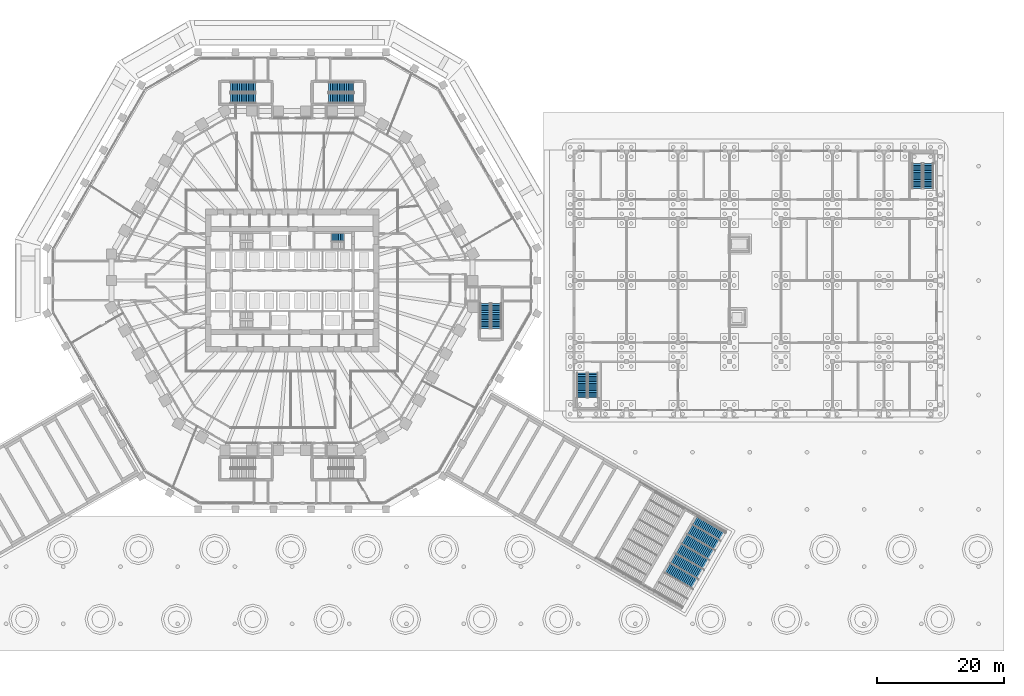
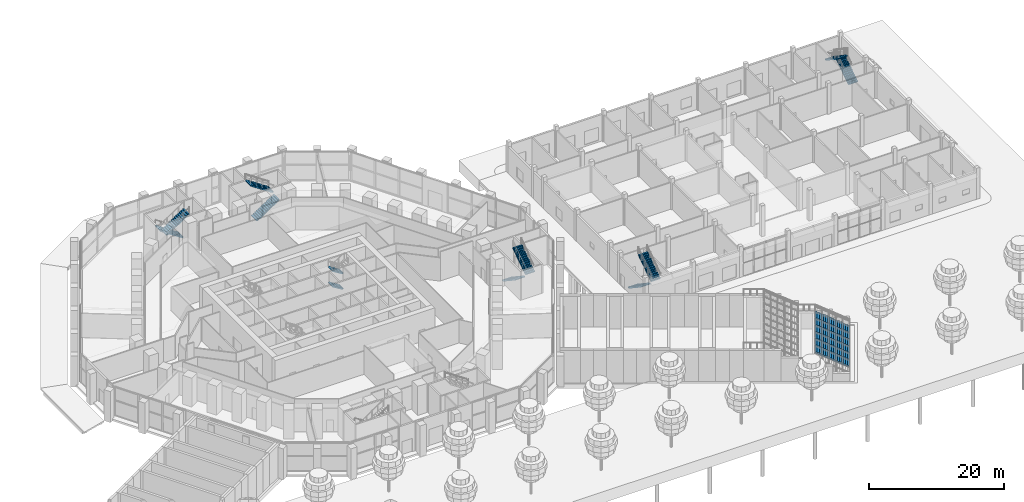
# One storey, part 31 of 44: 18 stair flights, 7 elements without a shape of their own.
"""IFC4 building model written with IfcOpenShell, lengths in metres."""

from ifc_helpers import new_model, si_unit, direction, frame, origin, place, context, subcontext, project, spatial, polyline, outline, extrude, material, layer, layer_set, type_object, element, aggregate, save


model = new_model("IFC4")

# Units and contexts
model_context = context("Model", 3, precision=1e-05, world=origin(), true_north=direction((0.0, 1.0)))
body_context = subcontext(model_context, "Body", "Model", "MODEL_VIEW")
ifc_project = project(units=[si_unit("LENGTHUNIT", "METRE"), si_unit("AREAUNIT", "SQUARE_METRE"), si_unit("VOLUMEUNIT", "CUBIC_METRE"), si_unit("PLANEANGLEUNIT", "RADIAN"), si_unit("MASSUNIT", "GRAM", prefix="KILO")], contexts=[model_context])

# Site, building, storey
site_placement = place(None, origin())
site = spatial("IfcSite", under=ifc_project, at=site_placement, CompositionType="ELEMENT")
building_placement = place(site_placement, origin())
building = spatial("IfcBuilding", under=site, at=building_placement, Name="Frailejon Research Tower", CompositionType="ELEMENT")
storey_placement = place(building_placement, origin())
storey = spatial("IfcBuildingStorey", under=building, at=storey_placement, Name="L00", CompositionType="ELEMENT", Elevation=0.0)

# Stair, stair flights
ifc_material_1 = material(Name="Concrete C35/45", Category="concrete")
stair_type_1 = type_object("IfcStairType", Name="Broad stair", PredefinedType="STRAIGHT_RUN_STAIR", material=ifc_material_1)
stair_1_placement = place(storey_placement, origin())
stair_1 = element("IfcStair", 1, at=stair_1_placement, inside=storey, type_object=stair_type_1, Name="Broad stair E1", PredefinedType="STRAIGHT_RUN_STAIR")
ifc_material_2 = material(Name="Concrete C35/45", Category="concrete")
stair_flight_type_1 = type_object("IfcStairFlightType", Name="Broad stair flight", PredefinedType="STRAIGHT", material=ifc_material_2)
stair_flight_1_placement = place(storey_placement, frame((63.516845703125, -47.785400390625, 0.0), z_axis=(0.0, 0.0, 1.0), x_axis=(-0.866025403784, 0.5, 0.0)))
stair_flight_1 = element("IfcStairFlight", 2, at=stair_flight_1_placement, type_object=stair_flight_type_1, Name="SS-E1 flight 11", NumberOfRisers=18, NumberOfTreads=17, PredefinedType="STRAIGHT", RiserHeight=0.155555556, TreadLength=0.3, context=body_context, shape_type="SweptSolid", body=[
    extrude(outline(polyline([(0.0, 0.0), (0.0, 0.155517578125), (0.300048828125, 0.155517578125), (0.300048828125, 0.31103515625), (0.60009765625, 0.31103515625), (0.60009765625, 0.466552734375), (0.89990234375, 0.466552734375), (0.89990234375, 0.622314453125), (1.199951171875, 0.622314453125), (1.199951171875, 0.77783203125), (1.5, 0.77783203125), (1.5, 0.933349609375), (1.800048828125, 0.933349609375), (1.800048828125, 1.0888671875), (2.10009765625, 1.0888671875), (2.10009765625, 1.244384765625), (2.39990234375, 1.244384765625), (2.39990234375, 1.39990234375), (2.699951171875, 1.39990234375), (2.699951171875, 1.5556640625), (3.0, 1.5556640625), (3.0, 1.711181640625), (3.300048828125, 1.711181640625), (3.300048828125, 1.86669921875), (3.60009765625, 1.86669921875), (3.60009765625, 2.022216796875), (3.89990234375, 2.022216796875), (3.89990234375, 2.177734375), (4.199951171875, 2.177734375), (4.199951171875, 2.333251953125), (4.5, 2.333251953125), (4.5, 2.48876953125), (4.800048828125, 2.48876953125), (4.800048828125, 2.64453125), (5.10009765625, 2.64453125), (5.10009765625, 2.800048828125), (5.10009765625, 2.419189453125), (0.434326171875, 0.0), (0.0, 0.0)])), frame((0.0, 0.875, 0.0), z_axis=(0.0, -1.0, 0.0), x_axis=(1.0, 0.0, 0.0)), (0.0, 0.0, 1.0), 1.75),
])
stair_flight_2_placement = place(storey_placement, frame((64.391845703125, -46.27001953125, 0.0), z_axis=(0.0, 0.0, 1.0), x_axis=(-0.866025403784, 0.5, 0.0)))
stair_flight_2 = element("IfcStairFlight", 3, at=stair_flight_2_placement, type_object=stair_flight_type_1, Name="SS-E1 flight 12", NumberOfRisers=18, NumberOfTreads=17, PredefinedType="STRAIGHT", RiserHeight=0.155555556, TreadLength=0.3, context=body_context, shape_type="SweptSolid", body=[
    extrude(outline(polyline([(0.0, 0.0), (0.0, 0.155517578125), (0.300048828125, 0.155517578125), (0.300048828125, 0.31103515625), (0.60009765625, 0.31103515625), (0.60009765625, 0.466552734375), (0.89990234375, 0.466552734375), (0.89990234375, 0.622314453125), (1.199951171875, 0.622314453125), (1.199951171875, 0.77783203125), (1.5, 0.77783203125), (1.5, 0.933349609375), (1.800048828125, 0.933349609375), (1.800048828125, 1.0888671875), (2.10009765625, 1.0888671875), (2.10009765625, 1.244384765625), (2.39990234375, 1.244384765625), (2.39990234375, 1.39990234375), (2.699951171875, 1.39990234375), (2.699951171875, 1.5556640625), (3.0, 1.5556640625), (3.0, 1.711181640625), (3.300048828125, 1.711181640625), (3.300048828125, 1.86669921875), (3.60009765625, 1.86669921875), (3.60009765625, 2.022216796875), (3.89990234375, 2.022216796875), (3.89990234375, 2.177734375), (4.199951171875, 2.177734375), (4.199951171875, 2.333251953125), (4.5, 2.333251953125), (4.5, 2.48876953125), (4.800048828125, 2.48876953125), (4.800048828125, 2.64453125), (5.10009765625, 2.64453125), (5.10009765625, 2.800048828125), (5.10009765625, 2.419189453125), (0.434326171875, 0.0), (0.0, 0.0)])), frame((0.0, 0.875, 0.0), z_axis=(0.0, -1.0, 0.0), x_axis=(1.0, 0.0, 0.0)), (0.0, 0.0, 1.0), 1.75),
])
stair_flight_3_placement = place(storey_placement, frame((65.266845703125, -44.75439453125, 0.0), z_axis=(0.0, 0.0, 1.0), x_axis=(-0.866025403784, 0.5, 0.0)))
stair_flight_3 = element("IfcStairFlight", 4, at=stair_flight_3_placement, type_object=stair_flight_type_1, Name="SS-E1 flight 13", NumberOfRisers=18, NumberOfTreads=17, PredefinedType="STRAIGHT", RiserHeight=0.155555556, TreadLength=0.3, context=body_context, shape_type="SweptSolid", body=[
    extrude(outline(polyline([(0.0, 0.0), (0.0, 0.155517578125), (0.300048828125, 0.155517578125), (0.300048828125, 0.31103515625), (0.60009765625, 0.31103515625), (0.60009765625, 0.466552734375), (0.89990234375, 0.466552734375), (0.89990234375, 0.622314453125), (1.199951171875, 0.622314453125), (1.199951171875, 0.77783203125), (1.5, 0.77783203125), (1.5, 0.933349609375), (1.800048828125, 0.933349609375), (1.800048828125, 1.0888671875), (2.10009765625, 1.0888671875), (2.10009765625, 1.244384765625), (2.39990234375, 1.244384765625), (2.39990234375, 1.39990234375), (2.699951171875, 1.39990234375), (2.699951171875, 1.5556640625), (3.0, 1.5556640625), (3.0, 1.711181640625), (3.300048828125, 1.711181640625), (3.300048828125, 1.86669921875), (3.60009765625, 1.86669921875), (3.60009765625, 2.022216796875), (3.89990234375, 2.022216796875), (3.89990234375, 2.177734375), (4.199951171875, 2.177734375), (4.199951171875, 2.333251953125), (4.5, 2.333251953125), (4.5, 2.48876953125), (4.800048828125, 2.48876953125), (4.800048828125, 2.64453125), (5.10009765625, 2.64453125), (5.10009765625, 2.800048828125), (5.10009765625, 2.419189453125), (0.434326171875, 0.0), (0.0, 0.0)])), frame((0.0, 0.875, 0.0), z_axis=(0.0, -1.0, 0.0), x_axis=(1.0, 0.0, 0.0)), (0.0, 0.0, 1.0), 1.75),
])
stair_flight_4_placement = place(storey_placement, frame((66.141845703125, -43.239013671875, 0.0), z_axis=(0.0, 0.0, 1.0), x_axis=(-0.866025403784, 0.5, 0.0)))
stair_flight_4 = element("IfcStairFlight", 5, at=stair_flight_4_placement, type_object=stair_flight_type_1, Name="SS-E1 flight 14", NumberOfRisers=18, NumberOfTreads=17, PredefinedType="STRAIGHT", RiserHeight=0.155555556, TreadLength=0.3, context=body_context, shape_type="SweptSolid", body=[
    extrude(outline(polyline([(0.0, 0.0), (0.0, 0.155517578125), (0.300048828125, 0.155517578125), (0.300048828125, 0.31103515625), (0.60009765625, 0.31103515625), (0.60009765625, 0.466552734375), (0.89990234375, 0.466552734375), (0.89990234375, 0.622314453125), (1.199951171875, 0.622314453125), (1.199951171875, 0.77783203125), (1.5, 0.77783203125), (1.5, 0.933349609375), (1.800048828125, 0.933349609375), (1.800048828125, 1.0888671875), (2.10009765625, 1.0888671875), (2.10009765625, 1.244384765625), (2.39990234375, 1.244384765625), (2.39990234375, 1.39990234375), (2.699951171875, 1.39990234375), (2.699951171875, 1.5556640625), (3.0, 1.5556640625), (3.0, 1.711181640625), (3.300048828125, 1.711181640625), (3.300048828125, 1.86669921875), (3.60009765625, 1.86669921875), (3.60009765625, 2.022216796875), (3.89990234375, 2.022216796875), (3.89990234375, 2.177734375), (4.199951171875, 2.177734375), (4.199951171875, 2.333251953125), (4.5, 2.333251953125), (4.5, 2.48876953125), (4.800048828125, 2.48876953125), (4.800048828125, 2.64453125), (5.10009765625, 2.64453125), (5.10009765625, 2.800048828125), (5.10009765625, 2.419189453125), (0.434326171875, 0.0), (0.0, 0.0)])), frame((0.0, 0.875, 0.0), z_axis=(0.0, -1.0, 0.0), x_axis=(1.0, 0.0, 0.0)), (0.0, 0.0, 1.0), 1.75),
])
stair_flight_5_placement = place(storey_placement, frame((67.016845703125, -41.723388671875, 0.0), z_axis=(0.0, 0.0, 1.0), x_axis=(-0.866025403784, 0.5, 0.0)))
stair_flight_5 = element("IfcStairFlight", 6, at=stair_flight_5_placement, type_object=stair_flight_type_1, Name="SS-E1 flight 15", NumberOfRisers=18, NumberOfTreads=17, PredefinedType="STRAIGHT", RiserHeight=0.155555556, TreadLength=0.3, context=body_context, shape_type="SweptSolid", body=[
    extrude(outline(polyline([(0.0, 0.0), (0.0, 0.155517578125), (0.300048828125, 0.155517578125), (0.300048828125, 0.31103515625), (0.60009765625, 0.31103515625), (0.60009765625, 0.466552734375), (0.89990234375, 0.466552734375), (0.89990234375, 0.622314453125), (1.199951171875, 0.622314453125), (1.199951171875, 0.77783203125), (1.5, 0.77783203125), (1.5, 0.933349609375), (1.800048828125, 0.933349609375), (1.800048828125, 1.0888671875), (2.10009765625, 1.0888671875), (2.10009765625, 1.244384765625), (2.39990234375, 1.244384765625), (2.39990234375, 1.39990234375), (2.699951171875, 1.39990234375), (2.699951171875, 1.5556640625), (3.0, 1.5556640625), (3.0, 1.711181640625), (3.300048828125, 1.711181640625), (3.300048828125, 1.86669921875), (3.60009765625, 1.86669921875), (3.60009765625, 2.022216796875), (3.89990234375, 2.022216796875), (3.89990234375, 2.177734375), (4.199951171875, 2.177734375), (4.199951171875, 2.333251953125), (4.5, 2.333251953125), (4.5, 2.48876953125), (4.800048828125, 2.48876953125), (4.800048828125, 2.64453125), (5.10009765625, 2.64453125), (5.10009765625, 2.800048828125), (5.10009765625, 2.419189453125), (0.434326171875, 0.0), (0.0, 0.0)])), frame((0.0, 0.875, 0.0), z_axis=(0.0, -1.0, 0.0), x_axis=(1.0, 0.0, 0.0)), (0.0, 0.0, 1.0), 1.75),
])
stair_flight_6_placement = place(storey_placement, frame((67.891845703125, -40.207763671875, 0.0), z_axis=(0.0, 0.0, 1.0), x_axis=(-0.866025403784, 0.5, 0.0)))
stair_flight_6 = element("IfcStairFlight", 7, at=stair_flight_6_placement, type_object=stair_flight_type_1, Name="SS-E1 flight 16", NumberOfRisers=18, NumberOfTreads=17, PredefinedType="STRAIGHT", RiserHeight=0.155555556, TreadLength=0.3, context=body_context, shape_type="SweptSolid", body=[
    extrude(outline(polyline([(0.0, 0.0), (0.0, 0.155517578125), (0.300048828125, 0.155517578125), (0.300048828125, 0.31103515625), (0.60009765625, 0.31103515625), (0.60009765625, 0.466552734375), (0.89990234375, 0.466552734375), (0.89990234375, 0.622314453125), (1.199951171875, 0.622314453125), (1.199951171875, 0.77783203125), (1.5, 0.77783203125), (1.5, 0.933349609375), (1.800048828125, 0.933349609375), (1.800048828125, 1.0888671875), (2.10009765625, 1.0888671875), (2.10009765625, 1.244384765625), (2.39990234375, 1.244384765625), (2.39990234375, 1.39990234375), (2.699951171875, 1.39990234375), (2.699951171875, 1.5556640625), (3.0, 1.5556640625), (3.0, 1.711181640625), (3.300048828125, 1.711181640625), (3.300048828125, 1.86669921875), (3.60009765625, 1.86669921875), (3.60009765625, 2.022216796875), (3.89990234375, 2.022216796875), (3.89990234375, 2.177734375), (4.199951171875, 2.177734375), (4.199951171875, 2.333251953125), (4.5, 2.333251953125), (4.5, 2.48876953125), (4.800048828125, 2.48876953125), (4.800048828125, 2.64453125), (5.10009765625, 2.64453125), (5.10009765625, 2.800048828125), (5.10009765625, 2.419189453125), (0.434326171875, 0.0), (0.0, 0.0)])), frame((0.0, 0.875, 0.0), z_axis=(0.0, -1.0, 0.0), x_axis=(1.0, 0.0, 0.0)), (0.0, 0.0, 1.0), 1.75),
])
aggregate(stair_1, [stair_flight_1, stair_flight_2, stair_flight_3, stair_flight_4, stair_flight_5, stair_flight_6])

ifc_material_3 = material(Name="Concrete C35/45", Category="concrete")
stair_type_2 = type_object("IfcStairType", Name="HC stair", PredefinedType="HALF_TURN_STAIR", material=ifc_material_3)
stair_2_placement = place(storey_placement, origin())
stair_2 = element("IfcStair", 8, at=stair_2_placement, inside=storey, type_object=stair_type_2, Name="L00 HC stair A", PredefinedType="HALF_TURN_STAIR")
ifc_material_4 = material(Name="Concrete C35/45", Category="concrete")
stair_flight_type_2 = type_object("IfcStairFlightType", Name="HC stair flight", PredefinedType="STRAIGHT", material=ifc_material_4)
stair_flight_7_placement = place(storey_placement, frame((45.60009765625, -14.5, 0.0), z_axis=(0.0, 0.0, 1.0), x_axis=(0.0, -1.0, 0.0)))
stair_flight_7 = element("IfcStairFlight", 9, at=stair_flight_7_placement, type_object=stair_flight_type_2, Name="HS-A flight 1", NumberOfRisers=15, NumberOfTreads=14, PredefinedType="STRAIGHT", RiserHeight=0.186666667, TreadLength=0.28, context=body_context, shape_type="SweptSolid", body=[
    extrude(outline(polyline([(0.0, 0.0), (0.0, 0.186767578125), (0.280029296875, 0.186767578125), (0.280029296875, 0.373291015625), (0.56005859375, 0.373291015625), (0.56005859375, 0.56005859375), (0.840087890625, 0.56005859375), (0.840087890625, 0.74658203125), (1.1201171875, 0.74658203125), (1.1201171875, 0.933349609375), (1.39990234375, 0.933349609375), (1.39990234375, 1.1201171875), (1.679931640625, 1.1201171875), (1.679931640625, 1.306640625), (1.9599609375, 1.306640625), (1.9599609375, 1.493408203125), (2.239990234375, 1.493408203125), (2.239990234375, 1.679931640625), (2.52001953125, 1.679931640625), (2.52001953125, 1.86669921875), (2.800048828125, 1.86669921875), (2.800048828125, 2.05322265625), (3.080078125, 2.05322265625), (3.080078125, 2.239990234375), (3.360107421875, 2.239990234375), (3.360107421875, 2.4267578125), (3.639892578125, 2.4267578125), (3.639892578125, 2.61328125), (3.919921875, 2.61328125), (3.919921875, 2.800048828125), (3.919921875, 2.43310546875), (0.270263671875, 0.0), (0.0, 0.0)])), frame((0.0, 0.800048828125, 0.0), z_axis=(0.0, -1.0, 0.0), x_axis=(1.0, 0.0, 0.0)), (0.0, 0.0, 1.0), 1.60009765625),
])
stair_flight_8_placement = place(storey_placement, frame((47.35009765625, -18.419921875, 2.800048828125), z_axis=(0.0, 0.0, 1.0), x_axis=(0.0, 1.0, 0.0)))
stair_flight_8 = element("IfcStairFlight", 10, at=stair_flight_8_placement, type_object=stair_flight_type_2, Name="HS-A flight 2", NumberOfRisers=15, NumberOfTreads=14, PredefinedType="STRAIGHT", RiserHeight=0.186666667, TreadLength=0.28, context=body_context, shape_type="SweptSolid", body=[
    extrude(outline(polyline([(0.0, 0.0), (0.0, 0.186767578125), (0.280029296875, 0.186767578125), (0.280029296875, 0.373291015625), (0.56005859375, 0.373291015625), (0.56005859375, 0.56005859375), (0.840087890625, 0.56005859375), (0.840087890625, 0.74658203125), (1.1201171875, 0.74658203125), (1.1201171875, 0.933349609375), (1.39990234375, 0.933349609375), (1.39990234375, 1.1201171875), (1.679931640625, 1.1201171875), (1.679931640625, 1.306640625), (1.9599609375, 1.306640625), (1.9599609375, 1.493408203125), (2.239990234375, 1.493408203125), (2.239990234375, 1.679931640625), (2.52001953125, 1.679931640625), (2.52001953125, 1.86669921875), (2.800048828125, 1.86669921875), (2.800048828125, 2.05322265625), (3.080078125, 2.05322265625), (3.080078125, 2.239990234375), (3.360107421875, 2.239990234375), (3.360107421875, 2.4267578125), (3.639892578125, 2.4267578125), (3.639892578125, 2.61328125), (3.919921875, 2.61328125), (3.919921875, 2.800048828125), (3.919921875, 2.43310546875), (0.270263671875, 0.0), (0.0, 0.0)])), frame((0.0, 0.800048828125, 0.0), z_axis=(0.0, -1.0, 0.0), x_axis=(1.0, 0.0, 0.0)), (0.0, 0.0, 1.0), 1.60009765625),
])
aggregate(stair_2, [stair_flight_7, stair_flight_8])

stair_3_placement = place(storey_placement, origin())
stair_3 = element("IfcStair", 11, at=stair_3_placement, inside=storey, type_object=stair_type_2, Name="L00 HC stair B", PredefinedType="HALF_TURN_STAIR")
stair_flight_9_placement = place(storey_placement, frame((100.10009765625, 14.5, 0.0), z_axis=(0.0, 0.0, 1.0), x_axis=(0.0, 1.0, 0.0)))
stair_flight_9 = element("IfcStairFlight", 12, at=stair_flight_9_placement, type_object=stair_flight_type_2, Name="HS-B flight 1", NumberOfRisers=15, NumberOfTreads=14, PredefinedType="STRAIGHT", RiserHeight=0.186666667, TreadLength=0.28, context=body_context, shape_type="SweptSolid", body=[
    extrude(outline(polyline([(0.0, 0.0), (0.0, 0.186767578125), (0.280029296875, 0.186767578125), (0.280029296875, 0.373291015625), (0.56005859375, 0.373291015625), (0.56005859375, 0.56005859375), (0.840087890625, 0.56005859375), (0.840087890625, 0.74658203125), (1.1201171875, 0.74658203125), (1.1201171875, 0.933349609375), (1.39990234375, 0.933349609375), (1.39990234375, 1.1201171875), (1.679931640625, 1.1201171875), (1.679931640625, 1.306640625), (1.9599609375, 1.306640625), (1.9599609375, 1.493408203125), (2.239990234375, 1.493408203125), (2.239990234375, 1.679931640625), (2.52001953125, 1.679931640625), (2.52001953125, 1.86669921875), (2.800048828125, 1.86669921875), (2.800048828125, 2.05322265625), (3.080078125, 2.05322265625), (3.080078125, 2.239990234375), (3.360107421875, 2.239990234375), (3.360107421875, 2.4267578125), (3.639892578125, 2.4267578125), (3.639892578125, 2.61328125), (3.919921875, 2.61328125), (3.919921875, 2.800048828125), (3.919921875, 2.43310546875), (0.270263671875, 0.0), (0.0, 0.0)])), frame((0.0, 0.800048828125, 0.0), z_axis=(0.0, -1.0, 0.0), x_axis=(1.0, 0.0, 0.0)), (0.0, 0.0, 1.0), 1.60009765625),
])
stair_flight_10_placement = place(storey_placement, frame((98.35009765625, 18.419921875, 2.800048828125), z_axis=(0.0, 0.0, 1.0), x_axis=(0.0, -1.0, 0.0)))
stair_flight_10 = element("IfcStairFlight", 13, at=stair_flight_10_placement, type_object=stair_flight_type_2, Name="HS-B flight 2", NumberOfRisers=15, NumberOfTreads=14, PredefinedType="STRAIGHT", RiserHeight=0.186666667, TreadLength=0.28, context=body_context, shape_type="SweptSolid", body=[
    extrude(outline(polyline([(0.0, 0.0), (0.0, 0.186767578125), (0.280029296875, 0.186767578125), (0.280029296875, 0.373291015625), (0.56005859375, 0.373291015625), (0.56005859375, 0.56005859375), (0.840087890625, 0.56005859375), (0.840087890625, 0.74658203125), (1.1201171875, 0.74658203125), (1.1201171875, 0.933349609375), (1.39990234375, 0.933349609375), (1.39990234375, 1.1201171875), (1.679931640625, 1.1201171875), (1.679931640625, 1.306640625), (1.9599609375, 1.306640625), (1.9599609375, 1.493408203125), (2.239990234375, 1.493408203125), (2.239990234375, 1.679931640625), (2.52001953125, 1.679931640625), (2.52001953125, 1.86669921875), (2.800048828125, 1.86669921875), (2.800048828125, 2.05322265625), (3.080078125, 2.05322265625), (3.080078125, 2.239990234375), (3.360107421875, 2.239990234375), (3.360107421875, 2.4267578125), (3.639892578125, 2.4267578125), (3.639892578125, 2.61328125), (3.919921875, 2.61328125), (3.919921875, 2.800048828125), (3.919921875, 2.43310546875), (0.270263671875, 0.0), (0.0, 0.0)])), frame((0.0, 0.800048828125, 0.0), z_axis=(0.0, -1.0, 0.0), x_axis=(1.0, 0.0, 0.0)), (0.0, 0.0, 1.0), 1.60009765625),
])
aggregate(stair_3, [stair_flight_9, stair_flight_10])

ifc_material_5 = material(Name="Concrete C50/60", Category="concrete")
stair_type_3 = type_object("IfcStairType", Name="Exit stair 30 risers", PredefinedType="HALF_TURN_STAIR", material=ifc_material_5)
stair_4_placement = place(storey_placement, origin())
stair_4 = element("IfcStair", 14, at=stair_4_placement, inside=storey, type_object=stair_type_3, Name="L00 Exit stair PS1", PredefinedType="HALF_TURN_STAIR")
ifc_material_6 = material(Name="Concrete C50/60", Category="concrete")
ifc_layer_1 = layer(ifc_material_6, 0.14990234375)
ifc_layer_set_1 = layer_set([ifc_layer_1], Name="Stair flight 15 risers")
stair_flight_type_3 = type_object("IfcStairFlightType", Name="Stair flight 15 risers", PredefinedType="STRAIGHT", material=ifc_layer_set_1)
stair_flight_11_placement = place(storey_placement, frame((-5.7568359375, 30.425048828125, 0.0), z_axis=(0.0, 0.0, 1.0), x_axis=(-1.0, 0.0, 0.0)))
stair_flight_11 = element("IfcStairFlight", 15, at=stair_flight_11_placement, type_object=stair_flight_type_3, Name="PS1 flight 1", NumberOfRisers=15, NumberOfTreads=14, PredefinedType="STRAIGHT", RiserHeight=0.186666667, TreadLength=0.28, context=body_context, shape_type="SweptSolid", body=[
    extrude(outline(polyline([(0.0, 0.0), (0.0, 0.186767578125), (0.280029296875, 0.186767578125), (0.280029296875, 0.373291015625), (0.56005859375, 0.373291015625), (0.56005859375, 0.56005859375), (0.840087890625, 0.56005859375), (0.840087890625, 0.74658203125), (1.1201171875, 0.74658203125), (1.1201171875, 0.933349609375), (1.39990234375, 0.933349609375), (1.39990234375, 1.1201171875), (1.679931640625, 1.1201171875), (1.679931640625, 1.306640625), (1.9599609375, 1.306640625), (1.9599609375, 1.493408203125), (2.239990234375, 1.493408203125), (2.239990234375, 1.679931640625), (2.52001953125, 1.679931640625), (2.52001953125, 1.86669921875), (2.800048828125, 1.86669921875), (2.800048828125, 2.05322265625), (3.080078125, 2.05322265625), (3.080078125, 2.239990234375), (3.360107421875, 2.239990234375), (3.360107421875, 2.4267578125), (3.639892578125, 2.4267578125), (3.639892578125, 2.61328125), (3.919921875, 2.61328125), (3.919921875, 2.800048828125), (3.919921875, 2.43310546875), (0.270263671875, 0.0), (0.0, 0.0)])), frame((0.0, 0.800048828125, 0.0), z_axis=(0.0, -1.0, 0.0), x_axis=(1.0, 0.0, 0.0)), (0.0, 0.0, 1.0), 1.60009765625),
])
stair_flight_12_placement = place(storey_placement, frame((-9.677001953125, 28.675048828125, 2.800048828125), z_axis=(0.0, 0.0, 1.0), x_axis=(1.0, 0.0, 0.0)))
stair_flight_12 = element("IfcStairFlight", 16, at=stair_flight_12_placement, type_object=stair_flight_type_3, Name="PS1 flight 2", NumberOfRisers=15, NumberOfTreads=14, PredefinedType="STRAIGHT", RiserHeight=0.186666667, TreadLength=0.28, context=body_context, shape_type="SweptSolid", body=[
    extrude(outline(polyline([(0.0, 0.0), (0.0, 0.186767578125), (0.280029296875, 0.186767578125), (0.280029296875, 0.373291015625), (0.56005859375, 0.373291015625), (0.56005859375, 0.56005859375), (0.840087890625, 0.56005859375), (0.840087890625, 0.74658203125), (1.1201171875, 0.74658203125), (1.1201171875, 0.933349609375), (1.39990234375, 0.933349609375), (1.39990234375, 1.1201171875), (1.679931640625, 1.1201171875), (1.679931640625, 1.306640625), (1.9599609375, 1.306640625), (1.9599609375, 1.493408203125), (2.239990234375, 1.493408203125), (2.239990234375, 1.679931640625), (2.52001953125, 1.679931640625), (2.52001953125, 1.86669921875), (2.800048828125, 1.86669921875), (2.800048828125, 2.05322265625), (3.080078125, 2.05322265625), (3.080078125, 2.239990234375), (3.360107421875, 2.239990234375), (3.360107421875, 2.4267578125), (3.639892578125, 2.4267578125), (3.639892578125, 2.61328125), (3.919921875, 2.61328125), (3.919921875, 2.800048828125), (3.919921875, 2.43310546875), (0.270263671875, 0.0), (0.0, 0.0)])), frame((0.0, 0.800048828125, 0.0), z_axis=(0.0, -1.0, 0.0), x_axis=(1.0, 0.0, 0.0)), (0.0, 0.0, 1.0), 1.60009765625),
])
aggregate(stair_4, [stair_flight_11, stair_flight_12])

stair_5_placement = place(storey_placement, origin())
stair_5 = element("IfcStair", 17, at=stair_5_placement, inside=storey, type_object=stair_type_3, Name="L00 Exit stair PS2", PredefinedType="HALF_TURN_STAIR")
stair_flight_13_placement = place(storey_placement, frame((5.7568359375, 28.675048828125, 0.0), z_axis=(0.0, 0.0, 1.0), x_axis=(1.0, 0.0, 0.0)))
stair_flight_13 = element("IfcStairFlight", 18, at=stair_flight_13_placement, type_object=stair_flight_type_3, Name="PS2 flight 1", NumberOfRisers=15, NumberOfTreads=14, PredefinedType="STRAIGHT", RiserHeight=0.186666667, TreadLength=0.28, context=body_context, shape_type="SweptSolid", body=[
    extrude(outline(polyline([(0.0, 0.0), (0.0, 0.186767578125), (0.280029296875, 0.186767578125), (0.280029296875, 0.373291015625), (0.56005859375, 0.373291015625), (0.56005859375, 0.56005859375), (0.840087890625, 0.56005859375), (0.840087890625, 0.74658203125), (1.1201171875, 0.74658203125), (1.1201171875, 0.933349609375), (1.39990234375, 0.933349609375), (1.39990234375, 1.1201171875), (1.679931640625, 1.1201171875), (1.679931640625, 1.306640625), (1.9599609375, 1.306640625), (1.9599609375, 1.493408203125), (2.239990234375, 1.493408203125), (2.239990234375, 1.679931640625), (2.52001953125, 1.679931640625), (2.52001953125, 1.86669921875), (2.800048828125, 1.86669921875), (2.800048828125, 2.05322265625), (3.080078125, 2.05322265625), (3.080078125, 2.239990234375), (3.360107421875, 2.239990234375), (3.360107421875, 2.4267578125), (3.639892578125, 2.4267578125), (3.639892578125, 2.61328125), (3.919921875, 2.61328125), (3.919921875, 2.800048828125), (3.919921875, 2.43310546875), (0.270263671875, 0.0), (0.0, 0.0)])), frame((0.0, 0.800048828125, 0.0), z_axis=(0.0, -1.0, 0.0), x_axis=(1.0, 0.0, 0.0)), (0.0, 0.0, 1.0), 1.60009765625),
])
stair_flight_14_placement = place(storey_placement, frame((9.677001953125, 30.425048828125, 2.800048828125), z_axis=(0.0, 0.0, 1.0), x_axis=(-1.0, 0.0, 0.0)))
stair_flight_14 = element("IfcStairFlight", 19, at=stair_flight_14_placement, type_object=stair_flight_type_3, Name="PS2 flight 2", NumberOfRisers=15, NumberOfTreads=14, PredefinedType="STRAIGHT", RiserHeight=0.186666667, TreadLength=0.28, context=body_context, shape_type="SweptSolid", body=[
    extrude(outline(polyline([(0.0, 0.0), (0.0, 0.186767578125), (0.280029296875, 0.186767578125), (0.280029296875, 0.373291015625), (0.56005859375, 0.373291015625), (0.56005859375, 0.56005859375), (0.840087890625, 0.56005859375), (0.840087890625, 0.74658203125), (1.1201171875, 0.74658203125), (1.1201171875, 0.933349609375), (1.39990234375, 0.933349609375), (1.39990234375, 1.1201171875), (1.679931640625, 1.1201171875), (1.679931640625, 1.306640625), (1.9599609375, 1.306640625), (1.9599609375, 1.493408203125), (2.239990234375, 1.493408203125), (2.239990234375, 1.679931640625), (2.52001953125, 1.679931640625), (2.52001953125, 1.86669921875), (2.800048828125, 1.86669921875), (2.800048828125, 2.05322265625), (3.080078125, 2.05322265625), (3.080078125, 2.239990234375), (3.360107421875, 2.239990234375), (3.360107421875, 2.4267578125), (3.639892578125, 2.4267578125), (3.639892578125, 2.61328125), (3.919921875, 2.61328125), (3.919921875, 2.800048828125), (3.919921875, 2.43310546875), (0.270263671875, 0.0), (0.0, 0.0)])), frame((0.0, 0.800048828125, 0.0), z_axis=(0.0, -1.0, 0.0), x_axis=(1.0, 0.0, 0.0)), (0.0, 0.0, 1.0), 1.60009765625),
])
aggregate(stair_5, [stair_flight_13, stair_flight_14])

stair_6_placement = place(storey_placement, origin())
stair_6 = element("IfcStair", 20, at=stair_6_placement, inside=storey, type_object=stair_type_3, Name="L00 Exit stair PS5", PredefinedType="HALF_TURN_STAIR")
stair_flight_15_placement = place(storey_placement, frame((30.3876953125, -3.618896484375, 0.0), z_axis=(0.0, 0.0, 1.0), x_axis=(0.0, -1.0, 0.0)))
stair_flight_15 = element("IfcStairFlight", 21, at=stair_flight_15_placement, type_object=stair_flight_type_3, Name="PS5 flight 1", NumberOfRisers=15, NumberOfTreads=14, PredefinedType="STRAIGHT", RiserHeight=0.186666667, TreadLength=0.28, context=body_context, shape_type="SweptSolid", body=[
    extrude(outline(polyline([(0.0, 0.0), (0.0, 0.186767578125), (0.280029296875, 0.186767578125), (0.280029296875, 0.373291015625), (0.56005859375, 0.373291015625), (0.56005859375, 0.56005859375), (0.840087890625, 0.56005859375), (0.840087890625, 0.74658203125), (1.1201171875, 0.74658203125), (1.1201171875, 0.933349609375), (1.39990234375, 0.933349609375), (1.39990234375, 1.1201171875), (1.679931640625, 1.1201171875), (1.679931640625, 1.306640625), (1.9599609375, 1.306640625), (1.9599609375, 1.493408203125), (2.239990234375, 1.493408203125), (2.239990234375, 1.679931640625), (2.52001953125, 1.679931640625), (2.52001953125, 1.86669921875), (2.800048828125, 1.86669921875), (2.800048828125, 2.05322265625), (3.080078125, 2.05322265625), (3.080078125, 2.239990234375), (3.360107421875, 2.239990234375), (3.360107421875, 2.4267578125), (3.639892578125, 2.4267578125), (3.639892578125, 2.61328125), (3.919921875, 2.61328125), (3.919921875, 2.800048828125), (3.919921875, 2.43310546875), (0.270263671875, 0.0), (0.0, 0.0)])), frame((0.0, 0.800048828125, 0.0), z_axis=(0.0, -1.0, 0.0), x_axis=(1.0, 0.0, 0.0)), (0.0, 0.0, 1.0), 1.60009765625),
])
stair_flight_16_placement = place(storey_placement, frame((32.1376953125, -7.538818359375, 2.800048828125), z_axis=(0.0, 0.0, 1.0), x_axis=(0.0, 1.0, 0.0)))
stair_flight_16 = element("IfcStairFlight", 22, at=stair_flight_16_placement, type_object=stair_flight_type_3, Name="PS5 flight 2", NumberOfRisers=15, NumberOfTreads=14, PredefinedType="STRAIGHT", RiserHeight=0.186666667, TreadLength=0.28, context=body_context, shape_type="SweptSolid", body=[
    extrude(outline(polyline([(0.0, 0.0), (0.0, 0.186767578125), (0.280029296875, 0.186767578125), (0.280029296875, 0.373291015625), (0.56005859375, 0.373291015625), (0.56005859375, 0.56005859375), (0.840087890625, 0.56005859375), (0.840087890625, 0.74658203125), (1.1201171875, 0.74658203125), (1.1201171875, 0.933349609375), (1.39990234375, 0.933349609375), (1.39990234375, 1.1201171875), (1.679931640625, 1.1201171875), (1.679931640625, 1.306640625), (1.9599609375, 1.306640625), (1.9599609375, 1.493408203125), (2.239990234375, 1.493408203125), (2.239990234375, 1.679931640625), (2.52001953125, 1.679931640625), (2.52001953125, 1.86669921875), (2.800048828125, 1.86669921875), (2.800048828125, 2.05322265625), (3.080078125, 2.05322265625), (3.080078125, 2.239990234375), (3.360107421875, 2.239990234375), (3.360107421875, 2.4267578125), (3.639892578125, 2.4267578125), (3.639892578125, 2.61328125), (3.919921875, 2.61328125), (3.919921875, 2.800048828125), (3.919921875, 2.43310546875), (0.270263671875, 0.0), (0.0, 0.0)])), frame((0.0, 0.800048828125, 0.0), z_axis=(0.0, -1.0, 0.0), x_axis=(1.0, 0.0, 0.0)), (0.0, 0.0, 1.0), 1.60009765625),
])
aggregate(stair_6, [stair_flight_15, stair_flight_16])

ifc_material_7 = material(Name="Concrete C50/60", Category="concrete")
stair_type_4 = type_object("IfcStairType", Name="Exit stair 32 risers", PredefinedType="HALF_TURN_STAIR", material=ifc_material_7)
stair_7_placement = place(storey_placement, origin())
stair_7 = element("IfcStair", 23, at=stair_7_placement, inside=storey, type_object=stair_type_4, Name="L00 Exit stair ST3", PredefinedType="HALF_TURN_STAIR")
ifc_material_8 = material(Name="Concrete C50/60", Category="concrete")
ifc_layer_2 = layer(ifc_material_8, 0.14990234375)
ifc_layer_set_2 = layer_set([ifc_layer_2], Name="Stair flight 8 risers")
stair_flight_type_4 = type_object("IfcStairFlightType", Name="Stair flight 8 risers", PredefinedType="STRAIGHT", material=ifc_layer_set_2)
stair_flight_17_placement = place(storey_placement, frame((8.14990234375, 6.85009765625, 0.0), z_axis=(0.0, 0.0, 1.0), x_axis=(-1.0, 0.0, 0.0)))
stair_flight_17 = element("IfcStairFlight", 24, at=stair_flight_17_placement, type_object=stair_flight_type_4, Name="ST3 flight 1", NumberOfRisers=8, NumberOfTreads=7, PredefinedType="STRAIGHT", RiserHeight=0.175, TreadLength=0.28, context=body_context, shape_type="SweptSolid", body=[
    extrude(outline(polyline([(0.0, 0.0), (0.0, 0.175048828125), (0.280029296875, 0.175048828125), (0.280029296875, 0.35009765625), (0.56005859375, 0.35009765625), (0.56005859375, 0.52490234375), (0.840087890625, 0.52490234375), (0.840087890625, 0.699951171875), (1.1201171875, 0.699951171875), (1.1201171875, 0.875), (1.39990234375, 0.875), (1.39990234375, 1.050048828125), (1.679931640625, 1.050048828125), (1.679931640625, 1.22509765625), (1.9599609375, 1.22509765625), (1.9599609375, 1.39990234375), (1.9599609375, 1.04833984375), (0.28271484375, 0.0), (0.0, 0.0)])), frame((0.0, 0.60009765625, 0.0), z_axis=(0.0, -1.0, 0.0), x_axis=(1.0, 0.0, 0.0)), (0.0, 0.0, 1.0), 1.199951171875),
])
stair_flight_18_placement = place(storey_placement, frame((8.14990234375, 6.85009765625, 2.800048828125), z_axis=(0.0, 0.0, 1.0), x_axis=(-1.0, 0.0, 0.0)))
stair_flight_18 = element("IfcStairFlight", 25, at=stair_flight_18_placement, type_object=stair_flight_type_4, Name="ST3 flight 3", NumberOfRisers=8, NumberOfTreads=7, PredefinedType="STRAIGHT", RiserHeight=0.175, TreadLength=0.28, context=body_context, shape_type="SweptSolid", body=[
    extrude(outline(polyline([(0.0, 0.0), (0.0, 0.175048828125), (0.280029296875, 0.175048828125), (0.280029296875, 0.35009765625), (0.56005859375, 0.35009765625), (0.56005859375, 0.52490234375), (0.840087890625, 0.52490234375), (0.840087890625, 0.699951171875), (1.1201171875, 0.699951171875), (1.1201171875, 0.875), (1.39990234375, 0.875), (1.39990234375, 1.050048828125), (1.679931640625, 1.050048828125), (1.679931640625, 1.22509765625), (1.9599609375, 1.22509765625), (1.9599609375, 1.39990234375), (1.9599609375, 1.04833984375), (0.28271484375, 0.0), (0.0, 0.0)])), frame((0.0, 0.60009765625, 0.0), z_axis=(0.0, -1.0, 0.0), x_axis=(1.0, 0.0, 0.0)), (0.0, 0.0, 1.0), 1.199951171875),
])
aggregate(stair_7, [stair_flight_17, stair_flight_18])

save(model, "model.ifc")
